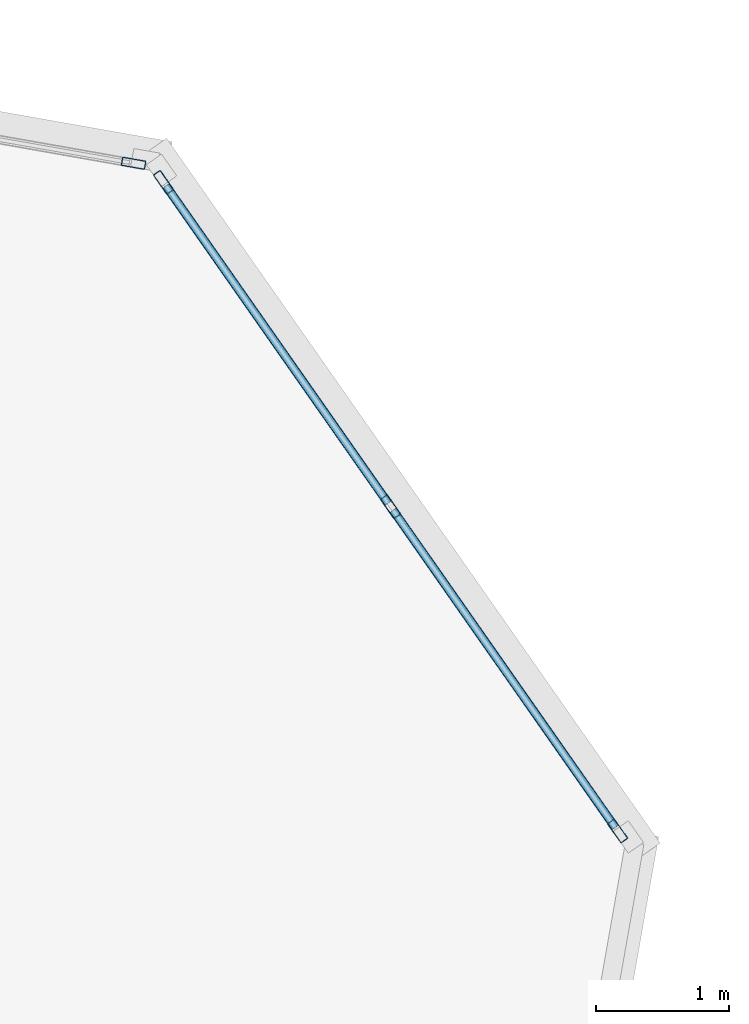
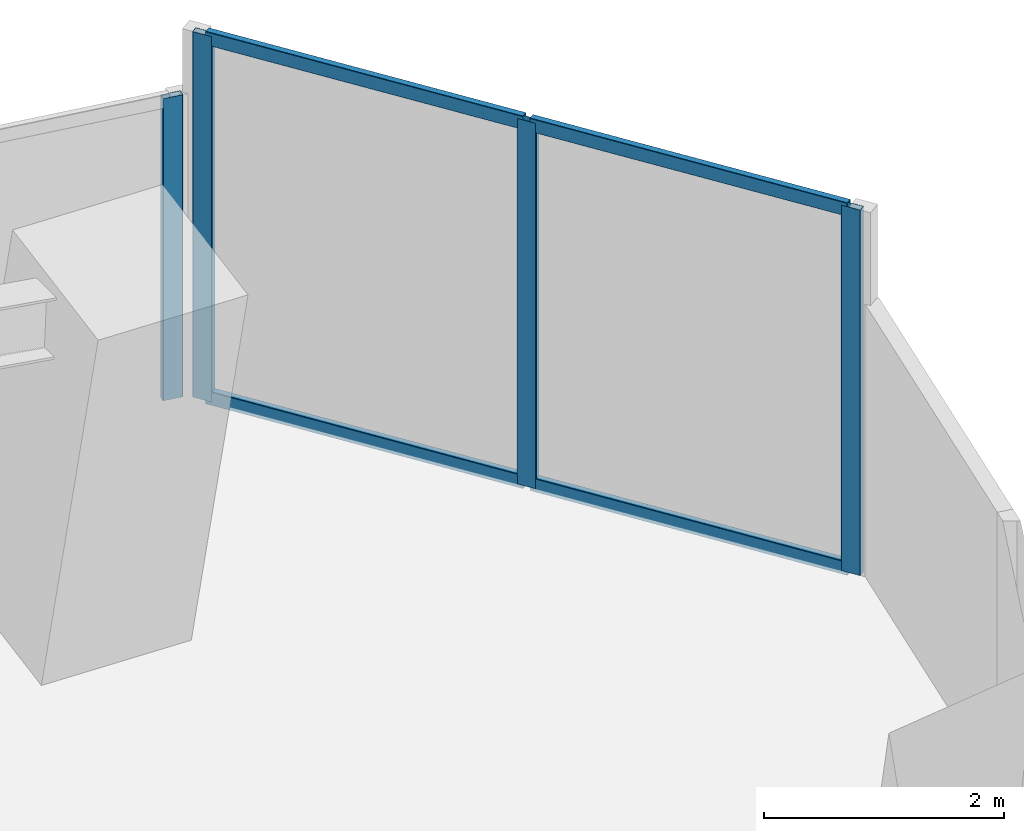
# One storey, part 14 of 24: 8 members, 2 elements without a shape of their own.
"""IFC4 building model written with IfcOpenShell, lengths in metres."""

import ifcopenshell
import ifcopenshell.guid

model = None  # the IFC model being written
_history = None  # IfcOwnerHistory: only IFC2X3 demands one
_inside = {}  # id of a spatial element -> (the spatial element, [elements in it])
_under = {}  # id of a project, library or spatial element -> (it, [spatial elements below it])
_declared = {}  # id of a project -> (the project, [libraries it declares])
_typed = {}  # id of a type object -> (the type object, [elements of that type])
_made_of = {}  # id of a material, layer set ... -> (it, [elements and type objects made of it])


def new_model(schema):
    """Start an empty IFC model of exactly this schema.

    Asked for "IFC4X3", IfcOpenShell would pick the latest addendum, in which some entities
    have other attributes; the version numbers below select the first issue.
    IFC2X3 requires an IfcOwnerHistory on every rooted entity: one is made here for all.
    """
    global model, _history
    if schema == "IFC4X3":
        model = ifcopenshell.file(schema_version=(4, 3, 0, 0))
    else:
        model = ifcopenshell.file(schema=schema)
    _inside.clear()
    _under.clear()
    _declared.clear()
    _typed.clear()
    _made_of.clear()
    _history = None
    if model.schema == "IFC2X3":
        org = make("IfcOrganization", Name="unknown")
        user = make(
            "IfcPersonAndOrganization",
            ThePerson=make("IfcPerson", FamilyName="unknown"),
            TheOrganization=org,
        )
        app = make(
            "IfcApplication",
            ApplicationDeveloper=org,
            Version="unknown",
            ApplicationFullName="unknown",
            ApplicationIdentifier="unknown",
        )
        _history = make(
            "IfcOwnerHistory",
            OwningUser=user,
            OwningApplication=app,
            ChangeAction="ADDED",
            CreationDate=0,
        )
    return model


def make(cls, **values):
    """One entity of the class cls with the attributes given. An attribute that is None is left unset."""
    return model.create_entity(
        cls, **{name: value for name, value in values.items() if value is not None}
    )


def rooted(cls, **values):
    """An entity with a GlobalId (a new one), such as an element, a storey or a relation."""
    return make(cls, GlobalId=ifcopenshell.guid.new(), OwnerHistory=_history, **values)


def si_unit(unit_type, name, prefix=None):
    """IfcSIUnit, for example si_unit("LENGTHUNIT", "METRE", prefix="MILLI")."""
    return make("IfcSIUnit", UnitType=unit_type, Prefix=prefix, Name=name)


def assignment(units):
    """IfcUnitAssignment: the units of a project."""
    return None if units is None else make("IfcUnitAssignment", Units=units)


def point(xyz):
    """IfcCartesianPoint."""
    return None if xyz is None else make("IfcCartesianPoint", Coordinates=xyz)


def direction(xyz):
    """IfcDirection."""
    return None if xyz is None else make("IfcDirection", DirectionRatios=xyz)


def frame(location, z_axis=None, x_axis=None):
    """IfcAxis2Placement3D, a coordinate frame: its origin and axes. An axis left out is left unset."""
    return make(
        "IfcAxis2Placement3D",
        Location=point(location),
        Axis=direction(z_axis),
        RefDirection=direction(x_axis),
    )


def frame_2d(location, x_axis=None):
    """IfcAxis2Placement2D, a coordinate frame in the plane: its origin and x axis."""
    return make(
        "IfcAxis2Placement2D", Location=point(location), RefDirection=direction(x_axis)
    )


def origin():
    """The frame at (0, 0, 0) with its axes left unset."""
    return frame((0.0, 0.0, 0.0))


def origin_2d():
    """The frame at (0, 0) in the plane with its x axis left unset."""
    return frame_2d((0.0, 0.0))


def place(relative_to, where):
    """IfcLocalPlacement: puts the frame where relative to a parent placement (None: the world)."""
    return make(
        "IfcLocalPlacement", PlacementRelTo=relative_to, RelativePlacement=where
    )


def context(
    kind, dimensions, precision=None, world=None, true_north=None, identifier=None
):
    """IfcGeometricRepresentationContext, for example the 3D "Model" context."""
    return make(
        "IfcGeometricRepresentationContext",
        ContextIdentifier=identifier,
        ContextType=kind,
        CoordinateSpaceDimension=dimensions,
        Precision=precision,
        WorldCoordinateSystem=world,
        TrueNorth=true_north,
    )


def subcontext(parent, identifier, kind, view, scale=None):
    """IfcGeometricRepresentationSubContext, for example "Body" below "Model"."""
    return make(
        "IfcGeometricRepresentationSubContext",
        ContextIdentifier=identifier,
        ContextType=kind,
        ParentContext=parent,
        TargetScale=scale,
        TargetView=view,
    )


def project(units=None, contexts=None):
    """IfcProject with its units and contexts."""
    return rooted(
        "IfcProject",
        Name="project",
        RepresentationContexts=contexts,
        UnitsInContext=assignment(units),
    )


def spatial(cls, under=None, at=None, **own):
    """A site, building, storey or space (cls), placed at a placement, below another one or the project."""
    s = rooted(cls, ObjectPlacement=at, **own)
    if under is not None:
        _under.setdefault(under.id(), (under, []))[1].append(s)
    return s


def profile(cls, at=None, kind="AREA", **sizes):
    """A parametric profile (cls). Its sizes go by their IFC names, for example OverallWidth=200.0."""
    return make(cls, ProfileType=kind, Position=at, **sizes)


def hollow_rectangle(**sizes):
    """IfcRectangleHollowProfileDef."""
    return profile("IfcRectangleHollowProfileDef", **sizes)


def extrude(swept, where, along, depth):
    """IfcExtrudedAreaSolid: the profile swept, set in the frame where, extruded along a direction by depth."""
    return make(
        "IfcExtrudedAreaSolid",
        SweptArea=swept,
        Position=where,
        ExtrudedDirection=direction(along),
        Depth=depth,
    )


def shape(context_of_items, identifier, shape_type, items):
    """IfcShapeRepresentation: the items that make up one representation, for example the "Body"."""
    return make(
        "IfcShapeRepresentation",
        ContextOfItems=context_of_items,
        RepresentationIdentifier=identifier,
        RepresentationType=shape_type,
        Items=items,
    )


def source(mapping_origin, context_of_items, identifier, shape_type, items):
    """IfcRepresentationMap: a shape defined once, which mapped items show again and again."""
    return make(
        "IfcRepresentationMap",
        MappingOrigin=mapping_origin,
        MappedRepresentation=shape(context_of_items, identifier, shape_type, items),
    )


def transform(
    local_origin,
    x_axis=None,
    y_axis=None,
    z_axis=None,
    scale=None,
    scale2=None,
    scale3=None,
    uniform=True,
):
    """IfcCartesianTransformationOperator3D, or its non-uniform kind. x_axis, y_axis, z_axis: its Axis1, 2, 3."""
    if uniform:
        return make(
            "IfcCartesianTransformationOperator3D",
            Axis1=direction(x_axis),
            Axis2=direction(y_axis),
            LocalOrigin=point(local_origin),
            Scale=scale,
            Axis3=direction(z_axis),
        )
    return make(
        "IfcCartesianTransformationOperator3DnonUniform",
        Axis1=direction(x_axis),
        Axis2=direction(y_axis),
        LocalOrigin=point(local_origin),
        Scale=scale,
        Axis3=direction(z_axis),
        Scale2=scale2,
        Scale3=scale3,
    )


def mapped(mapping_source, mapping_target):
    """IfcMappedItem: shows the shape of a source again, moved by a transform."""
    return make(
        "IfcMappedItem", MappingSource=mapping_source, MappingTarget=mapping_target
    )


def material(Name=None, Category=None):
    """IfcMaterial."""
    return make("IfcMaterial", Name=Name, Category=Category)


def material_profile(
    of_material, cross_section, Name=None, Category=None, Priority=None
):
    """IfcMaterialProfile: a cross section and its material."""
    return make(
        "IfcMaterialProfile",
        Name=Name,
        Material=of_material,
        Profile=cross_section,
        Priority=Priority,
        Category=Category,
    )


def profile_set(profiles, Name=None, composite=None):
    """IfcMaterialProfileSet."""
    return make(
        "IfcMaterialProfileSet",
        Name=Name,
        MaterialProfiles=profiles,
        CompositeProfile=composite,
    )


def made_of(thing, what):
    """Note that an element or type object is made of a material, layer set ...; save() writes the relation."""
    if what is not None:
        _made_of.setdefault(what.id(), (what, []))[1].append(thing)
    return thing


def type_object(cls, material=None, **own):
    """A type object (cls), such as IfcWallType, which elements share."""
    return made_of(rooted(cls, **own), material)


def element(
    cls,
    number,
    at=None,
    inside=None,
    cuts=None,
    type_object=None,
    material=None,
    context=None,
    identifier="Body",
    shape_type=None,
    held_by="IfcProductDefinitionShape",
    body=None,
    shapes=None,
    **own,
):
    """One element of the class cls, such as IfcWall. Its Tag is "e" and its number.

    at: its placement. inside: the storey or other place that contains it. cuts: it is an
    opening in that element (IfcRelVoidsElement). A single representation is given by context,
    identifier, shape_type and body (its items); several are given by shapes. held_by: the class
    of the entity that holds the representations. save() writes the other relations.
    """
    e = rooted(cls, Tag="e%d" % number, ObjectPlacement=at, **own)
    if body is not None:
        shapes = [shape(context, identifier, shape_type, body)]
    if shapes is not None:
        e.Representation = make(held_by, Representations=shapes)
    if inside is not None:
        _inside.setdefault(inside.id(), (inside, []))[1].append(e)
    if cuts is not None:
        rooted(
            "IfcRelVoidsElement", RelatingBuildingElement=cuts, RelatedOpeningElement=e
        )
    if type_object is not None:
        _typed.setdefault(type_object.id(), (type_object, []))[1].append(e)
    return made_of(e, material)


def aggregate(whole, parts):
    """IfcRelAggregates: a whole, such as a stair, and the parts it consists of."""
    return rooted("IfcRelAggregates", RelatingObject=whole, RelatedObjects=parts)


def save(model, path):
    """Write the relations noted so far, then the file.

    IfcRelAggregates (storeys below a building ...), IfcRelContainedInSpatialStructure (elements
    in a storey), IfcRelDefinesByType, IfcRelAssociatesMaterial and IfcRelDeclares: one each for
    every whole, place, type object, material and project.
    """
    for whole, parts in _under.values():
        aggregate(whole, parts)
    for where, things in _inside.values():
        rooted(
            "IfcRelContainedInSpatialStructure",
            RelatedElements=things,
            RelatingStructure=where,
        )
    for kind, things in _typed.values():
        rooted("IfcRelDefinesByType", RelatedObjects=things, RelatingType=kind)
    for what, things in _made_of.values():
        rooted("IfcRelAssociatesMaterial", RelatedObjects=things, RelatingMaterial=what)
    for by, libraries in _declared.values():
        rooted("IfcRelDeclares", RelatingContext=by, RelatedDefinitions=libraries)
    model.write(path)


model = new_model("IFC4")

# Units and contexts
model_context = context("Model", 3, precision=1e-05, world=origin(), true_north=direction((0.0, 1.0)))
body_context = subcontext(model_context, "Body", "Model", "MODEL_VIEW")
ifc_project = project(units=[si_unit("LENGTHUNIT", "METRE"), si_unit("AREAUNIT", "SQUARE_METRE"), si_unit("VOLUMEUNIT", "CUBIC_METRE"), si_unit("PLANEANGLEUNIT", "RADIAN"), si_unit("MASSUNIT", "GRAM", prefix="KILO")], contexts=[model_context])

# Site, building, storey
site_placement = place(None, origin())
site = spatial("IfcSite", under=ifc_project, at=site_placement, CompositionType="ELEMENT")
building_placement = place(site_placement, origin())
building = spatial("IfcBuilding", under=site, at=building_placement, Name="Torre Montelarca", CompositionType="ELEMENT")
storey_placement = place(building_placement, frame((0.0, 0.0, 83.199951171875)))
storey = spatial("IfcBuildingStorey", under=building, at=storey_placement, Name="L18", CompositionType="ELEMENT", Elevation=83.199951171875)

# Curtain wall, members
ifc_material_1 = material(Name="Insulated low-E laminated glass", Category="glass")
curtain_wall_type = type_object("IfcCurtainWallType", Name="CW-SYS-Z1", PredefinedType="USERDEFINED", material=ifc_material_1)
curtain_wall_1_placement = place(storey_placement, origin())
curtain_wall_1 = element("IfcCurtainWall", 1, at=curtain_wall_1_placement, inside=storey, type_object=curtain_wall_type, Name="L18 Curtain Wall Run CW-T3-L18-E07-B1", ObjectType="UNITISED GLAZING", PredefinedType="USERDEFINED")
ifc_material_2 = material(Name="Anodised aluminium AA 6063-T6", Category="aluminium")
ifc_material_profile_1 = material_profile(ifc_material_2, hollow_rectangle(XDim=0.06494140625, YDim=0.139892578125, WallThickness=0.00390625, InnerFilletRadius=0.00390625, OuterFilletRadius=0.008056640625, at=origin_2d()), Name="ALU65X140X4", Category="aluminium")
ifc_profile_set_1 = profile_set([ifc_material_profile_1], Name="Anodised aluminium AA 6063-T6")
member_type_1 = type_object("IfcMemberType", Name="CWT-ALU140", PredefinedType="USERDEFINED", material=ifc_profile_set_1)
shared_shape_1 = source(origin(), body_context, "Body", "SweptSolid", [
    extrude(hollow_rectangle(XDim=0.06494140625, YDim=0.139892578125, WallThickness=0.00390625, InnerFilletRadius=0.00390625, OuterFilletRadius=0.008056640625, at=origin_2d()), origin(), (0.0, 0.0, 1.0), 2.918701171875),
])
member_1_placement = place(storey_placement, frame((62.09423828125, 36.794921875, 0.032470703125), z_axis=(-0.573569003746, 0.819157248605, 0.0), x_axis=(-0.819157248605, -0.573569003746, 0.0)))
member_1 = element("IfcMember", 2, at=member_1_placement, type_object=member_type_1, Name="CW transom 1.1", ObjectType="TRANSOM", PredefinedType="USERDEFINED", context=body_context, shape_type="MappedRepresentation", body=[
    mapped(shared_shape_1, transform((0.0, 0.0, 0.0), scale=1.0)),
])
member_2_placement = place(storey_placement, frame((62.09423828125, 36.794921875, 3.6875), z_axis=(-0.573569003746, 0.819157248605, 0.0), x_axis=(-0.819157248605, -0.573569003746, 0.0)))
member_2 = element("IfcMember", 3, at=member_2_placement, type_object=member_type_1, Name="CW transom 1.2", ObjectType="TRANSOM", PredefinedType="USERDEFINED", context=body_context, shape_type="MappedRepresentation", body=[
    mapped(shared_shape_1, transform((0.0, 0.0, 0.0), scale=1.0)),
])
shared_shape_2 = source(origin(), body_context, "Body", "SweptSolid", [
    extrude(hollow_rectangle(XDim=0.06494140625, YDim=0.139892578125, WallThickness=0.00390625, InnerFilletRadius=0.00390625, OuterFilletRadius=0.008056640625, at=origin_2d()), origin(), (0.0, 0.0, 1.0), 2.91845703125),
])
member_3_placement = place(storey_placement, frame((60.3828125, 39.239013671875, 0.032470703125), z_axis=(-0.573512870865, 0.819196549646, 0.0), x_axis=(-0.819196549646, -0.573512870865, 0.0)))
member_3 = element("IfcMember", 4, at=member_3_placement, type_object=member_type_1, Name="CW transom 2.1", ObjectType="TRANSOM", PredefinedType="USERDEFINED", context=body_context, shape_type="MappedRepresentation", body=[
    mapped(shared_shape_2, transform((0.0, 0.0, 0.0), scale=1.0)),
])
member_4_placement = place(storey_placement, frame((60.3828125, 39.239013671875, 3.6875), z_axis=(-0.573512870865, 0.819196549646, 0.0), x_axis=(-0.819196549646, -0.573512870865, 0.0)))
member_4 = element("IfcMember", 5, at=member_4_placement, type_object=member_type_1, Name="CW transom 2.2", ObjectType="TRANSOM", PredefinedType="USERDEFINED", context=body_context, shape_type="MappedRepresentation", body=[
    mapped(shared_shape_2, transform((0.0, 0.0, 0.0), scale=1.0)),
])
ifc_material_profile_2 = material_profile(ifc_material_2, hollow_rectangle(XDim=0.06494140625, YDim=0.179931640625, WallThickness=0.00390625, InnerFilletRadius=0.00390625, OuterFilletRadius=0.008056640625, at=origin_2d()), Name="ALU65X180X4", Category="aluminium")
ifc_profile_set_2 = profile_set([ifc_material_profile_2], Name="Anodised aluminium AA 6063-T6")
member_type_2 = type_object("IfcMemberType", Name="CWM-ALU180", PredefinedType="MULLION", material=ifc_profile_set_2)
shared_shape_3 = source(origin(), body_context, "Body", "SweptSolid", [
    extrude(hollow_rectangle(XDim=0.06494140625, YDim=0.179931640625, WallThickness=0.00390625, InnerFilletRadius=0.00390625, OuterFilletRadius=0.008056640625, at=origin_2d()), origin(), (0.0, 0.0, 1.0), 3.719970703125),
])
member_5_placement = place(storey_placement, frame((62.11279296875, 36.768310546875, 0.0), z_axis=(0.0, 0.0, 1.0), x_axis=(-0.819173505874, -0.573545784811, 0.0)))
member_5 = element("IfcMember", 6, at=member_5_placement, type_object=member_type_2, Name="CW mullion 1", PredefinedType="MULLION", context=body_context, shape_type="MappedRepresentation", body=[
    mapped(shared_shape_3, transform((0.0, 0.0, 0.0), scale=1.0)),
])
member_6_placement = place(storey_placement, frame((60.401611328125, 39.21240234375, 0.0), z_axis=(0.0, 0.0, 1.0), x_axis=(-0.819173505874, -0.573545784811, 0.0)))
member_6 = element("IfcMember", 7, at=member_6_placement, type_object=member_type_2, Name="CW mullion 2", PredefinedType="MULLION", context=body_context, shape_type="MappedRepresentation", body=[
    mapped(shared_shape_3, transform((0.0, 0.0, 0.0), scale=1.0)),
])
member_7_placement = place(storey_placement, frame((58.690185546875, 41.656494140625, 0.0), z_axis=(0.0, 0.0, 1.0), x_axis=(-0.819173505874, -0.573545784811, 0.0)))
member_7 = element("IfcMember", 8, at=member_7_placement, type_object=member_type_2, Name="CW mullion 3", PredefinedType="MULLION", context=body_context, shape_type="MappedRepresentation", body=[
    mapped(shared_shape_3, transform((0.0, 0.0, 0.0), scale=1.0)),
])
aggregate(curtain_wall_1, [member_5, member_6, member_7, member_1, member_2, member_3, member_4])

# Curtain wall, member
curtain_wall_2_placement = place(storey_placement, origin())
curtain_wall_2 = element("IfcCurtainWall", 9, at=curtain_wall_2_placement, inside=storey, type_object=curtain_wall_type, Name="L18 Curtain Wall Run CW-T3-L18-E08-B1", ObjectType="UNITISED GLAZING", PredefinedType="USERDEFINED")
shared_shape_4 = source(origin(), body_context, "Body", "SweptSolid", [
    extrude(hollow_rectangle(XDim=0.06494140625, YDim=0.179931640625, WallThickness=0.00390625, InnerFilletRadius=0.00390625, OuterFilletRadius=0.008056640625, at=origin_2d()), origin(), (0.0, 0.0, 1.0), 3.074951171875),
])
member_8_placement = place(storey_placement, frame((58.465087890625, 41.800048828125, 0.0), z_axis=(0.0, 0.0, 1.0), x_axis=(-0.173645051264, -0.984808304276, 0.0)))
member_8 = element("IfcMember", 10, at=member_8_placement, type_object=member_type_2, Name="CW mullion 1", PredefinedType="MULLION", context=body_context, shape_type="MappedRepresentation", body=[
    mapped(shared_shape_4, transform((0.0, 0.0, 0.0), scale=1.0)),
])
aggregate(curtain_wall_2, [member_8])

save(model, "model.ifc")
